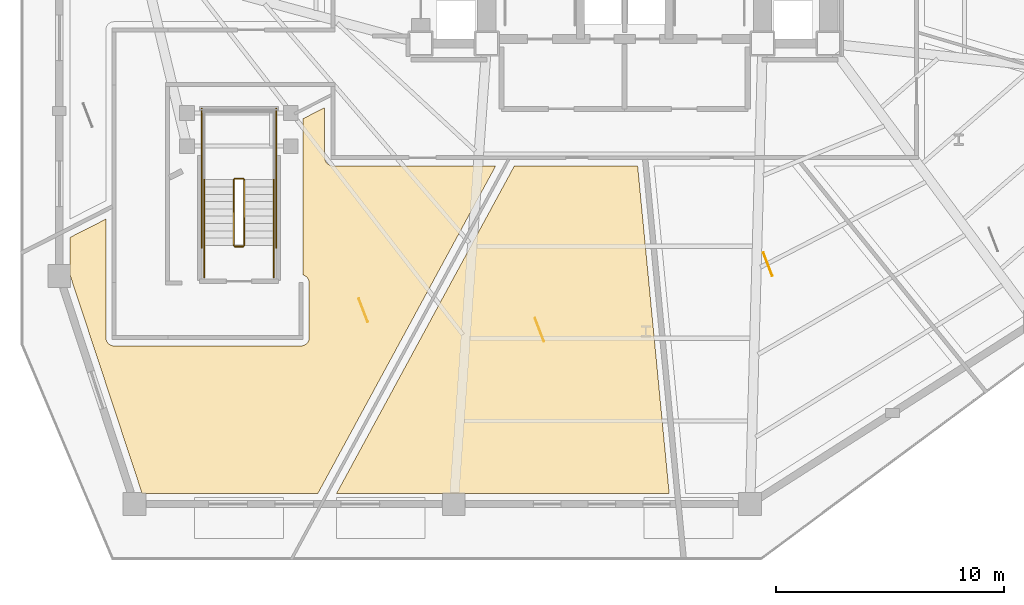
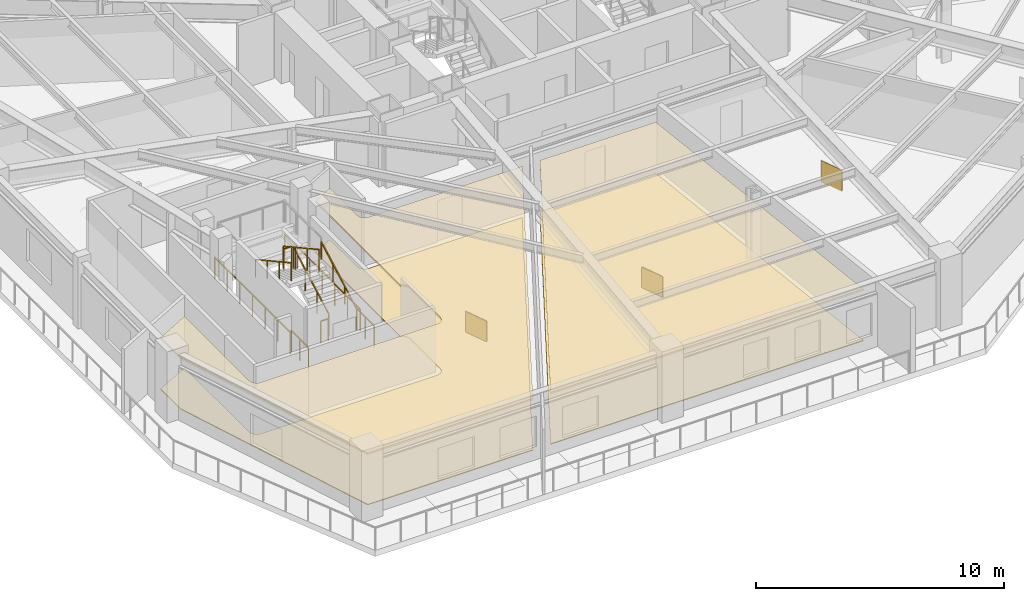
# One storey, part 7 of 10: 10 railings, 7 coverings.
"""IFC4 building model written with IfcOpenShell, lengths in metres."""

import ifcopenshell
import ifcopenshell.guid

model = None  # the IFC model being written
_history = None  # IfcOwnerHistory: only IFC2X3 demands one
_inside = {}  # id of a spatial element -> (the spatial element, [elements in it])
_under = {}  # id of a project, library or spatial element -> (it, [spatial elements below it])
_declared = {}  # id of a project -> (the project, [libraries it declares])
_typed = {}  # id of a type object -> (the type object, [elements of that type])
_made_of = {}  # id of a material, layer set ... -> (it, [elements and type objects made of it])


def new_model(schema):
    """Start an empty IFC model of exactly this schema.

    Asked for "IFC4X3", IfcOpenShell would pick the latest addendum, in which some entities
    have other attributes; the version numbers below select the first issue.
    IFC2X3 requires an IfcOwnerHistory on every rooted entity: one is made here for all.
    """
    global model, _history
    if schema == "IFC4X3":
        model = ifcopenshell.file(schema_version=(4, 3, 0, 0))
    else:
        model = ifcopenshell.file(schema=schema)
    _inside.clear()
    _under.clear()
    _declared.clear()
    _typed.clear()
    _made_of.clear()
    _history = None
    if model.schema == "IFC2X3":
        org = make("IfcOrganization", Name="unknown")
        user = make(
            "IfcPersonAndOrganization",
            ThePerson=make("IfcPerson", FamilyName="unknown"),
            TheOrganization=org,
        )
        app = make(
            "IfcApplication",
            ApplicationDeveloper=org,
            Version="unknown",
            ApplicationFullName="unknown",
            ApplicationIdentifier="unknown",
        )
        _history = make(
            "IfcOwnerHistory",
            OwningUser=user,
            OwningApplication=app,
            ChangeAction="ADDED",
            CreationDate=0,
        )
    return model


def make(cls, **values):
    """One entity of the class cls with the attributes given. An attribute that is None is left unset."""
    return model.create_entity(
        cls, **{name: value for name, value in values.items() if value is not None}
    )


def rooted(cls, **values):
    """An entity with a GlobalId (a new one), such as an element, a storey or a relation."""
    return make(cls, GlobalId=ifcopenshell.guid.new(), OwnerHistory=_history, **values)


def si_unit(unit_type, name, prefix=None):
    """IfcSIUnit, for example si_unit("LENGTHUNIT", "METRE", prefix="MILLI")."""
    return make("IfcSIUnit", UnitType=unit_type, Prefix=prefix, Name=name)


def assignment(units):
    """IfcUnitAssignment: the units of a project."""
    return None if units is None else make("IfcUnitAssignment", Units=units)


def point(xyz):
    """IfcCartesianPoint."""
    return None if xyz is None else make("IfcCartesianPoint", Coordinates=xyz)


def direction(xyz):
    """IfcDirection."""
    return None if xyz is None else make("IfcDirection", DirectionRatios=xyz)


def frame(location, z_axis=None, x_axis=None):
    """IfcAxis2Placement3D, a coordinate frame: its origin and axes. An axis left out is left unset."""
    return make(
        "IfcAxis2Placement3D",
        Location=point(location),
        Axis=direction(z_axis),
        RefDirection=direction(x_axis),
    )


def frame_2d(location, x_axis=None):
    """IfcAxis2Placement2D, a coordinate frame in the plane: its origin and x axis."""
    return make(
        "IfcAxis2Placement2D", Location=point(location), RefDirection=direction(x_axis)
    )


def origin():
    """The frame at (0, 0, 0) with its axes left unset."""
    return frame((0.0, 0.0, 0.0))


def origin_2d():
    """The frame at (0, 0) in the plane with its x axis left unset."""
    return frame_2d((0.0, 0.0))


def place(relative_to, where):
    """IfcLocalPlacement: puts the frame where relative to a parent placement (None: the world)."""
    return make(
        "IfcLocalPlacement", PlacementRelTo=relative_to, RelativePlacement=where
    )


def context(
    kind, dimensions, precision=None, world=None, true_north=None, identifier=None
):
    """IfcGeometricRepresentationContext, for example the 3D "Model" context."""
    return make(
        "IfcGeometricRepresentationContext",
        ContextIdentifier=identifier,
        ContextType=kind,
        CoordinateSpaceDimension=dimensions,
        Precision=precision,
        WorldCoordinateSystem=world,
        TrueNorth=true_north,
    )


def subcontext(parent, identifier, kind, view, scale=None):
    """IfcGeometricRepresentationSubContext, for example "Body" below "Model"."""
    return make(
        "IfcGeometricRepresentationSubContext",
        ContextIdentifier=identifier,
        ContextType=kind,
        ParentContext=parent,
        TargetScale=scale,
        TargetView=view,
    )


def project(units=None, contexts=None):
    """IfcProject with its units and contexts."""
    return rooted(
        "IfcProject",
        Name="project",
        RepresentationContexts=contexts,
        UnitsInContext=assignment(units),
    )


def spatial(cls, under=None, at=None, **own):
    """A site, building, storey or space (cls), placed at a placement, below another one or the project."""
    s = rooted(cls, ObjectPlacement=at, **own)
    if under is not None:
        _under.setdefault(under.id(), (under, []))[1].append(s)
    return s


def polyline(points):
    """IfcPolyline through the points."""
    return make("IfcPolyline", Points=[point(p) for p in points])


def profile(cls, at=None, kind="AREA", **sizes):
    """A parametric profile (cls). Its sizes go by their IFC names, for example OverallWidth=200.0."""
    return make(cls, ProfileType=kind, Position=at, **sizes)


def rectangle(**sizes):
    """IfcRectangleProfileDef."""
    return profile("IfcRectangleProfileDef", **sizes)


def outline(outer, holes=None, kind="AREA"):
    """IfcArbitraryClosedProfileDef: a profile drawn as a closed curve; with holes, ...WithVoids."""
    if holes is None:
        return make("IfcArbitraryClosedProfileDef", ProfileType=kind, OuterCurve=outer)
    return make(
        "IfcArbitraryProfileDefWithVoids",
        ProfileType=kind,
        OuterCurve=outer,
        InnerCurves=holes,
    )


def extrude(swept, where, along, depth):
    """IfcExtrudedAreaSolid: the profile swept, set in the frame where, extruded along a direction by depth."""
    return make(
        "IfcExtrudedAreaSolid",
        SweptArea=swept,
        Position=where,
        ExtrudedDirection=direction(along),
        Depth=depth,
    )


def shape(context_of_items, identifier, shape_type, items):
    """IfcShapeRepresentation: the items that make up one representation, for example the "Body"."""
    return make(
        "IfcShapeRepresentation",
        ContextOfItems=context_of_items,
        RepresentationIdentifier=identifier,
        RepresentationType=shape_type,
        Items=items,
    )


def material(Name=None, Category=None):
    """IfcMaterial."""
    return make("IfcMaterial", Name=Name, Category=Category)


def layer(
    of_material, thickness, ventilated=None, Name=None, Category=None, Priority=None
):
    """IfcMaterialLayer: one layer of a wall or slab, of a material (None: an air gap)."""
    return make(
        "IfcMaterialLayer",
        Material=of_material,
        LayerThickness=thickness,
        IsVentilated=ventilated,
        Name=Name,
        Category=Category,
        Priority=Priority,
    )


def layer_set(layers, Name=None):
    """IfcMaterialLayerSet."""
    return make("IfcMaterialLayerSet", MaterialLayers=layers, LayerSetName=Name)


def made_of(thing, what):
    """Note that an element or type object is made of a material, layer set ...; save() writes the relation."""
    if what is not None:
        _made_of.setdefault(what.id(), (what, []))[1].append(thing)
    return thing


def type_object(cls, material=None, **own):
    """A type object (cls), such as IfcWallType, which elements share."""
    return made_of(rooted(cls, **own), material)


def element(
    cls,
    number,
    at=None,
    inside=None,
    cuts=None,
    type_object=None,
    material=None,
    context=None,
    identifier="Body",
    shape_type=None,
    held_by="IfcProductDefinitionShape",
    body=None,
    shapes=None,
    **own,
):
    """One element of the class cls, such as IfcWall. Its Tag is "e" and its number.

    at: its placement. inside: the storey or other place that contains it. cuts: it is an
    opening in that element (IfcRelVoidsElement). A single representation is given by context,
    identifier, shape_type and body (its items); several are given by shapes. held_by: the class
    of the entity that holds the representations. save() writes the other relations.
    """
    e = rooted(cls, Tag="e%d" % number, ObjectPlacement=at, **own)
    if body is not None:
        shapes = [shape(context, identifier, shape_type, body)]
    if shapes is not None:
        e.Representation = make(held_by, Representations=shapes)
    if inside is not None:
        _inside.setdefault(inside.id(), (inside, []))[1].append(e)
    if cuts is not None:
        rooted(
            "IfcRelVoidsElement", RelatingBuildingElement=cuts, RelatedOpeningElement=e
        )
    if type_object is not None:
        _typed.setdefault(type_object.id(), (type_object, []))[1].append(e)
    return made_of(e, material)


def aggregate(whole, parts):
    """IfcRelAggregates: a whole, such as a stair, and the parts it consists of."""
    return rooted("IfcRelAggregates", RelatingObject=whole, RelatedObjects=parts)


def save(model, path):
    """Write the relations noted so far, then the file.

    IfcRelAggregates (storeys below a building ...), IfcRelContainedInSpatialStructure (elements
    in a storey), IfcRelDefinesByType, IfcRelAssociatesMaterial and IfcRelDeclares: one each for
    every whole, place, type object, material and project.
    """
    for whole, parts in _under.values():
        aggregate(whole, parts)
    for where, things in _inside.values():
        rooted(
            "IfcRelContainedInSpatialStructure",
            RelatedElements=things,
            RelatingStructure=where,
        )
    for kind, things in _typed.values():
        rooted("IfcRelDefinesByType", RelatedObjects=things, RelatingType=kind)
    for what, things in _made_of.values():
        rooted("IfcRelAssociatesMaterial", RelatedObjects=things, RelatingMaterial=what)
    for by, libraries in _declared.values():
        rooted("IfcRelDeclares", RelatingContext=by, RelatedDefinitions=libraries)
    model.write(path)


model = new_model("IFC4")

# Units and contexts
model_context = context("Model", 3, precision=1e-05, world=origin(), true_north=direction((0.0, 1.0)))
body_context = subcontext(model_context, "Body", "Model", "MODEL_VIEW")
ifc_project = project(units=[si_unit("LENGTHUNIT", "METRE"), si_unit("AREAUNIT", "SQUARE_METRE"), si_unit("VOLUMEUNIT", "CUBIC_METRE"), si_unit("PLANEANGLEUNIT", "RADIAN"), si_unit("MASSUNIT", "GRAM", prefix="KILO")], contexts=[model_context])

# Site, building, storey
site_placement = place(None, origin())
site = spatial("IfcSite", under=ifc_project, at=site_placement, CompositionType="ELEMENT")
building_placement = place(site_placement, origin())
building = spatial("IfcBuilding", under=site, at=building_placement, Name="Rocaltana Carrier Exchange", CompositionType="ELEMENT")
storey_placement = place(building_placement, frame((0.0, 0.0, 4.800048828125)))
storey = spatial("IfcBuildingStorey", under=building, at=storey_placement, Name="L02", CompositionType="ELEMENT", Elevation=4.800048828125)

# Coverings
ifc_material_1 = material(Name="Honed Bogota Sandstone Tile", Category="masonry")
ifc_layer_1 = layer(ifc_material_1, 0.0400390625)
ifc_layer_set_1 = layer_set([ifc_layer_1], Name="Honed Bogota Sandstone Tile")
covering_type_1 = type_object("IfcCoveringType", Name="Honed Stone Lobby Flooring 40", PredefinedType="FLOORING", material=ifc_layer_set_1)
covering_1_placement = place(storey_placement, origin())
element("IfcCovering", 1, at=covering_1_placement, inside=storey, type_object=covering_type_1, Name="L02 Carrier Peering Suite Finish Floor", PredefinedType="FLOORING", context=body_context, shape_type="SweptSolid", body=[
    extrude(outline(polyline([(-24.340087890625, -12.805908203125), (-22.760009765625, -12.000732421875), (-22.760009765625, -17.199951171875), (-22.759765625, -17.213623046875), (-22.75927734375, -17.2216796875), (-22.756591796875, -17.248779296875), (-22.75537109375, -17.256591796875), (-22.75, -17.28369140625), (-22.748291015625, -17.291259765625), (-22.740234375, -17.317626953125), (-22.737548828125, -17.324951171875), (-22.72705078125, -17.350341796875), (-22.7236328125, -17.357421875), (-22.710693359375, -17.381591796875), (-22.706787109375, -17.388427734375), (-22.69140625, -17.4111328125), (-22.686767578125, -17.41748046875), (-22.669189453125, -17.438720703125), (-22.6640625, -17.444580078125), (-22.64453125, -17.464111328125), (-22.638916015625, -17.46923828125), (-22.617431640625, -17.48681640625), (-22.611083984375, -17.491455078125), (-22.58837890625, -17.506591796875), (-22.581787109375, -17.5107421875), (-22.557373046875, -17.523681640625), (-22.55029296875, -17.527099609375), (-22.52490234375, -17.53759765625), (-22.517578125, -17.540283203125), (-22.4912109375, -17.548095703125), (-22.483642578125, -17.550048828125), (-22.456787109375, -17.555419921875), (-22.448974609375, -17.556640625), (-22.421630859375, -17.559326171875), (-22.413818359375, -17.559814453125), (-22.39990234375, -17.56005859375), (-14.199951171875, -17.56005859375), (-14.186279296875, -17.559814453125), (-14.178466796875, -17.559326171875), (-14.151123046875, -17.556640625), (-14.143310546875, -17.555419921875), (-14.116455078125, -17.550048828125), (-14.108642578125, -17.548095703125), (-14.08251953125, -17.540283203125), (-14.0751953125, -17.53759765625), (-14.0498046875, -17.527099609375), (-14.04248046875, -17.523681640625), (-14.018310546875, -17.5107421875), (-14.01171875, -17.506591796875), (-13.98876953125, -17.491455078125), (-13.982421875, -17.48681640625), (-13.961181640625, -17.46923828125), (-13.955322265625, -17.464111328125), (-13.93603515625, -17.444580078125), (-13.9306640625, -17.438720703125), (-13.913330078125, -17.41748046875), (-13.90869140625, -17.4111328125), (-13.893310546875, -17.388427734375), (-13.889404296875, -17.381591796875), (-13.876220703125, -17.357421875), (-13.873046875, -17.350341796875), (-13.862548828125, -17.324951171875), (-13.85986328125, -17.317626953125), (-13.851806640625, -17.291259765625), (-13.849853515625, -17.28369140625), (-13.844482421875, -17.256591796875), (-13.843505859375, -17.248779296875), (-13.8408203125, -17.2216796875), (-13.84033203125, -17.213623046875), (-13.840087890625, -17.199951171875), (-13.840087890625, -14.800048828125), (-13.84033203125, -14.786376953125), (-13.8408203125, -14.7783203125), (-13.843505859375, -14.751220703125), (-13.844482421875, -14.743408203125), (-13.849853515625, -14.71630859375), (-13.851806640625, -14.708740234375), (-13.85986328125, -14.682373046875), (-13.862548828125, -14.675048828125), (-13.873046875, -14.649658203125), (-13.876220703125, -14.642578125), (-13.889404296875, -14.618408203125), (-13.893310546875, -14.611572265625), (-13.90869140625, -14.5888671875), (-13.913330078125, -14.58251953125), (-13.9306640625, -14.561279296875), (-13.93603515625, -14.555419921875), (-13.955322265625, -14.535888671875), (-13.961181640625, -14.53076171875), (-13.982421875, -14.51318359375), (-13.98876953125, -14.508544921875), (-14.01171875, -14.493408203125), (-14.018310546875, -14.4892578125), (-14.04248046875, -14.476318359375), (-14.0498046875, -14.472900390625), (-14.0751953125, -14.46240234375), (-14.08251953125, -14.459716796875), (-14.108642578125, -14.451904296875), (-14.110107421875, -14.451416015625), (-14.110107421875, -7.593505859375), (-13.159912109375, -7.109375), (-13.159912109375, -9.300048828125), (-13.15966796875, -9.313720703125), (-13.1591796875, -9.321533203125), (-13.156494140625, -9.348876953125), (-13.155517578125, -9.356689453125), (-13.150146484375, -9.383544921875), (-13.148193359375, -9.391357421875), (-13.14013671875, -9.41748046875), (-13.137451171875, -9.4248046875), (-13.126953125, -9.4501953125), (-13.123779296875, -9.45751953125), (-13.110595703125, -9.481689453125), (-13.106689453125, -9.48828125), (-13.09130859375, -9.51123046875), (-13.086669921875, -9.517578125), (-13.0693359375, -9.538818359375), (-13.06396484375, -9.544677734375), (-13.044677734375, -9.56396484375), (-13.038818359375, -9.5693359375), (-13.017578125, -9.586669921875), (-13.01123046875, -9.59130859375), (-12.98828125, -9.606689453125), (-12.981689453125, -9.610595703125), (-12.95751953125, -9.623779296875), (-12.9501953125, -9.626953125), (-12.9248046875, -9.637451171875), (-12.91748046875, -9.64013671875), (-12.891357421875, -9.648193359375), (-12.883544921875, -9.650146484375), (-12.856689453125, -9.655517578125), (-12.848876953125, -9.656494140625), (-12.821533203125, -9.6591796875), (-12.813720703125, -9.65966796875), (-12.800048828125, -9.659912109375), (-5.654541015625, -9.659912109375), (-13.46240234375, -24.0400390625), (-21.16748046875, -24.0400390625), (-24.340087890625, -14.426025390625), (-24.340087890625, -12.805908203125)])), origin(), (0.0, 0.0, 1.0), 0.0400390625),
])
covering_2_placement = place(storey_placement, origin())
element("IfcCovering", 2, at=covering_2_placement, inside=storey, type_object=covering_type_1, Name="L02 Cloud Architecture Office Finish Floor", PredefinedType="FLOORING", context=body_context, shape_type="SweptSolid", body=[
    extrude(outline(polyline([(-12.64306640625, -24.0400390625), (-4.835205078125, -9.659912109375), (0.568603515625, -9.659912109375), (1.953125, -24.0400390625), (-12.64306640625, -24.0400390625)])), origin(), (0.0, 0.0, 1.0), 0.0400390625),
])
ifc_material_2 = material(Name="Anodised Aluminium 6063-T6", Category="aluminium")
ifc_layer_2 = layer(ifc_material_2, 0.0849609375)
ifc_layer_set_2 = layer_set([ifc_layer_2], Name="Anodised Aluminium 6063-T6")
covering_type_2 = type_object("IfcCoveringType", Name="Linear Baffle Acoustic Ceiling 85", PredefinedType="CEILING", material=ifc_layer_set_2)
covering_3_placement = place(storey_placement, frame((0.0, 0.0, 2.48291015625)))
element("IfcCovering", 3, at=covering_3_placement, inside=storey, type_object=covering_type_2, Name="L02 Carrier Peering Suite Acoustic Ceiling", PredefinedType="CEILING", context=body_context, shape_type="SweptSolid", body=[
    extrude(outline(polyline([(-24.340087890625, -12.805908203125), (-22.760009765625, -12.000732421875), (-22.760009765625, -17.199951171875), (-22.759765625, -17.213623046875), (-22.75927734375, -17.2216796875), (-22.756591796875, -17.248779296875), (-22.75537109375, -17.256591796875), (-22.75, -17.28369140625), (-22.748291015625, -17.291259765625), (-22.740234375, -17.317626953125), (-22.737548828125, -17.324951171875), (-22.72705078125, -17.350341796875), (-22.7236328125, -17.357421875), (-22.710693359375, -17.381591796875), (-22.706787109375, -17.388427734375), (-22.69140625, -17.4111328125), (-22.686767578125, -17.41748046875), (-22.669189453125, -17.438720703125), (-22.6640625, -17.444580078125), (-22.64453125, -17.464111328125), (-22.638916015625, -17.46923828125), (-22.617431640625, -17.48681640625), (-22.611083984375, -17.491455078125), (-22.58837890625, -17.506591796875), (-22.581787109375, -17.5107421875), (-22.557373046875, -17.523681640625), (-22.55029296875, -17.527099609375), (-22.52490234375, -17.53759765625), (-22.517578125, -17.540283203125), (-22.4912109375, -17.548095703125), (-22.483642578125, -17.550048828125), (-22.456787109375, -17.555419921875), (-22.448974609375, -17.556640625), (-22.421630859375, -17.559326171875), (-22.413818359375, -17.559814453125), (-22.39990234375, -17.56005859375), (-14.199951171875, -17.56005859375), (-14.186279296875, -17.559814453125), (-14.178466796875, -17.559326171875), (-14.151123046875, -17.556640625), (-14.143310546875, -17.555419921875), (-14.116455078125, -17.550048828125), (-14.108642578125, -17.548095703125), (-14.08251953125, -17.540283203125), (-14.0751953125, -17.53759765625), (-14.0498046875, -17.527099609375), (-14.04248046875, -17.523681640625), (-14.018310546875, -17.5107421875), (-14.01171875, -17.506591796875), (-13.98876953125, -17.491455078125), (-13.982421875, -17.48681640625), (-13.961181640625, -17.46923828125), (-13.955322265625, -17.464111328125), (-13.93603515625, -17.444580078125), (-13.9306640625, -17.438720703125), (-13.913330078125, -17.41748046875), (-13.90869140625, -17.4111328125), (-13.893310546875, -17.388427734375), (-13.889404296875, -17.381591796875), (-13.876220703125, -17.357421875), (-13.873046875, -17.350341796875), (-13.862548828125, -17.324951171875), (-13.85986328125, -17.317626953125), (-13.851806640625, -17.291259765625), (-13.849853515625, -17.28369140625), (-13.844482421875, -17.256591796875), (-13.843505859375, -17.248779296875), (-13.8408203125, -17.2216796875), (-13.84033203125, -17.213623046875), (-13.840087890625, -17.199951171875), (-13.840087890625, -14.800048828125), (-13.84033203125, -14.786376953125), (-13.8408203125, -14.7783203125), (-13.843505859375, -14.751220703125), (-13.844482421875, -14.743408203125), (-13.849853515625, -14.71630859375), (-13.851806640625, -14.708740234375), (-13.85986328125, -14.682373046875), (-13.862548828125, -14.675048828125), (-13.873046875, -14.649658203125), (-13.876220703125, -14.642578125), (-13.889404296875, -14.618408203125), (-13.893310546875, -14.611572265625), (-13.90869140625, -14.5888671875), (-13.913330078125, -14.58251953125), (-13.9306640625, -14.561279296875), (-13.93603515625, -14.555419921875), (-13.955322265625, -14.535888671875), (-13.961181640625, -14.53076171875), (-13.982421875, -14.51318359375), (-13.98876953125, -14.508544921875), (-14.01171875, -14.493408203125), (-14.018310546875, -14.4892578125), (-14.04248046875, -14.476318359375), (-14.0498046875, -14.472900390625), (-14.0751953125, -14.46240234375), (-14.08251953125, -14.459716796875), (-14.108642578125, -14.451904296875), (-14.110107421875, -14.451416015625), (-14.110107421875, -7.593505859375), (-13.159912109375, -7.109375), (-13.159912109375, -9.300048828125), (-13.15966796875, -9.313720703125), (-13.1591796875, -9.321533203125), (-13.156494140625, -9.348876953125), (-13.155517578125, -9.356689453125), (-13.150146484375, -9.383544921875), (-13.148193359375, -9.391357421875), (-13.14013671875, -9.41748046875), (-13.137451171875, -9.4248046875), (-13.126953125, -9.4501953125), (-13.123779296875, -9.45751953125), (-13.110595703125, -9.481689453125), (-13.106689453125, -9.48828125), (-13.09130859375, -9.51123046875), (-13.086669921875, -9.517578125), (-13.0693359375, -9.538818359375), (-13.06396484375, -9.544677734375), (-13.044677734375, -9.56396484375), (-13.038818359375, -9.5693359375), (-13.017578125, -9.586669921875), (-13.01123046875, -9.59130859375), (-12.98828125, -9.606689453125), (-12.981689453125, -9.610595703125), (-12.95751953125, -9.623779296875), (-12.9501953125, -9.626953125), (-12.9248046875, -9.637451171875), (-12.91748046875, -9.64013671875), (-12.891357421875, -9.648193359375), (-12.883544921875, -9.650146484375), (-12.856689453125, -9.655517578125), (-12.848876953125, -9.656494140625), (-12.821533203125, -9.6591796875), (-12.813720703125, -9.65966796875), (-12.800048828125, -9.659912109375), (-5.654541015625, -9.659912109375), (-13.46240234375, -24.0400390625), (-21.16748046875, -24.0400390625), (-24.340087890625, -14.426025390625), (-24.340087890625, -12.805908203125)])), origin(), (0.0, 0.0, 1.0), 0.0849609375),
])
covering_4_placement = place(storey_placement, frame((0.0, 0.0, 2.48291015625)))
element("IfcCovering", 4, at=covering_4_placement, inside=storey, type_object=covering_type_2, Name="L02 Cloud Architecture Office Acoustic Ceiling", PredefinedType="CEILING", context=body_context, shape_type="SweptSolid", body=[
    extrude(outline(polyline([(-12.64306640625, -24.0400390625), (-4.835205078125, -9.659912109375), (0.568603515625, -9.659912109375), (1.953125, -24.0400390625), (-12.64306640625, -24.0400390625)])), origin(), (0.0, 0.0, 1.0), 0.0849609375),
])

# Railings
ifc_material_3 = material(Name="Brushed Architectural Stainless Tube", Category="steel")
ifc_layer_3 = layer(ifc_material_3, 0.048095703125)
ifc_layer_set_3 = layer_set([ifc_layer_3], Name="Brushed Architectural Stainless Tube")
railing_type_1 = type_object("IfcRailingType", Name="Stair Wall Handrail 920", PredefinedType="HANDRAIL", material=ifc_layer_set_3)
railing_1_placement = place(storey_placement, frame((-15.389892578125, -13.14990234375, 0.176025390625)))
element("IfcRailing", 5, at=railing_1_placement, inside=storey, type_object=railing_type_1, Name="L02 ST-3 stair handrail 1", PredefinedType="HANDRAIL", context=body_context, shape_type="SweptSolid", body=[
    extrude(rectangle(XDim=0.048095703125, YDim=0.048095703125, at=origin_2d()), frame((0.0, 0.0, 0.8759765625), z_axis=(0.0, 0.876209635416, 0.481930155525), x_axis=(-1.0, 0.0, 0.0)), (0.0, 0.0, 1.0), 3.286865234375),
    extrude(rectangle(XDim=0.0419921875, YDim=0.0419921875, at=origin_2d()), origin(), (0.0, 0.0, 1.0), 0.851806640625),
    extrude(rectangle(XDim=0.0419921875, YDim=0.0419921875, at=origin_2d()), frame((0.0, 0.9599609375, 0.528076171875)), (0.0, 0.0, 1.0), 0.851806640625),
    extrude(rectangle(XDim=0.0419921875, YDim=0.0419921875, at=origin_2d()), frame((0.0, 1.919921875, 1.055908203125)), (0.0, 0.0, 1.0), 0.851806640625),
    extrude(rectangle(XDim=0.0419921875, YDim=0.0419921875, at=origin_2d()), frame((0.0, 2.8798828125, 1.583984375)), (0.0, 0.0, 1.0), 0.851806640625),
])
railing_2_placement = place(storey_placement, frame((-18.449951171875, -10.27001953125, 1.93603515625)))
element("IfcRailing", 6, at=railing_2_placement, inside=storey, type_object=railing_type_1, Name="L02 ST-3 stair handrail 2", PredefinedType="HANDRAIL", context=body_context, shape_type="SweptSolid", body=[
    extrude(rectangle(XDim=0.048095703125, YDim=0.048095703125, at=origin_2d()), frame((0.0, 0.0, 0.8759765625), z_axis=(0.0, -0.876209635416, 0.481930155525), x_axis=(1.0, 0.0, 0.0)), (0.0, 0.0, 1.0), 3.286865234375),
    extrude(rectangle(XDim=0.0419921875, YDim=0.0419921875, at=origin_2d()), origin(), (0.0, 0.0, 1.0), 0.851806640625),
    extrude(rectangle(XDim=0.0419921875, YDim=0.0419921875, at=origin_2d()), frame((0.0, -0.9599609375, 0.528076171875)), (0.0, 0.0, 1.0), 0.851806640625),
    extrude(rectangle(XDim=0.0419921875, YDim=0.0419921875, at=origin_2d()), frame((0.0, -1.919921875, 1.055908203125)), (0.0, 0.0, 1.0), 0.851806640625),
    extrude(rectangle(XDim=0.0419921875, YDim=0.0419921875, at=origin_2d()), frame((0.0, -2.8798828125, 1.583984375)), (0.0, 0.0, 1.0), 0.851806640625),
])
ifc_material_4 = material(Name="Powder-Coated Aluminium 6063-T6", Category="aluminium")
ifc_layer_4 = layer(ifc_material_4, 0.048095703125)
ifc_layer_set_4 = layer_set([ifc_layer_4], Name="Powder-Coated Aluminium 6063-T6")
railing_type_2 = type_object("IfcRailingType", Name="Stair Well Guardrail 1100", PredefinedType="GUARDRAIL", material=ifc_layer_set_4)
railing_3_placement = place(storey_placement, frame((-16.68994140625, -13.14990234375, 0.176025390625)))
element("IfcRailing", 7, at=railing_3_placement, inside=storey, type_object=railing_type_2, Name="L02 ST-3 stair guard 1", PredefinedType="GUARDRAIL", context=body_context, shape_type="SweptSolid", body=[
    extrude(rectangle(XDim=0.048095703125, YDim=0.048095703125, at=origin_2d()), frame((0.0, 0.0, 1.076171875), z_axis=(0.0, 0.876209635416, 0.481930155525), x_axis=(-1.0, 0.0, 0.0)), (0.0, 0.0, 1.0), 3.286865234375),
    extrude(rectangle(XDim=0.0419921875, YDim=0.0419921875, at=origin_2d()), origin(), (0.0, 0.0, 1.0), 1.052001953125),
    extrude(rectangle(XDim=0.0419921875, YDim=0.0419921875, at=origin_2d()), frame((0.0, 0.9599609375, 0.528076171875)), (0.0, 0.0, 1.0), 1.052001953125),
    extrude(rectangle(XDim=0.0419921875, YDim=0.0419921875, at=origin_2d()), frame((0.0, 1.919921875, 1.055908203125)), (0.0, 0.0, 1.0), 1.052001953125),
    extrude(rectangle(XDim=0.0419921875, YDim=0.0419921875, at=origin_2d()), frame((0.0, 2.8798828125, 1.583984375)), (0.0, 0.0, 1.0), 1.052001953125),
])
railing_4_placement = place(storey_placement, frame((-16.739990234375, -10.219970703125, 1.760009765625)))
element("IfcRailing", 8, at=railing_4_placement, inside=storey, type_object=railing_type_2, Name="L02 ST-3 stair guard 2", PredefinedType="GUARDRAIL", context=body_context, shape_type="SweptSolid", body=[
    extrude(rectangle(XDim=0.048095703125, YDim=0.048095703125, at=origin_2d()), frame((0.0, 0.0, 1.076171875), z_axis=(-1.0, 0.0, 0.0), x_axis=(0.0, -1.0, 0.0)), (0.0, 0.0, 1.0), 0.360107421875),
    extrude(rectangle(XDim=0.0419921875, YDim=0.0419921875, at=origin_2d()), origin(), (0.0, 0.0, 1.0), 1.052001953125),
    extrude(rectangle(XDim=0.0419921875, YDim=0.0419921875, at=origin_2d()), frame((-0.360107421875, 0.0, 0.0)), (0.0, 0.0, 1.0), 1.052001953125),
])
railing_5_placement = place(storey_placement, frame((-17.14990234375, -10.27001953125, 1.93603515625)))
element("IfcRailing", 9, at=railing_5_placement, inside=storey, type_object=railing_type_2, Name="L02 ST-3 stair guard 6", PredefinedType="GUARDRAIL", context=body_context, shape_type="SweptSolid", body=[
    extrude(rectangle(XDim=0.048095703125, YDim=0.048095703125, at=origin_2d()), frame((0.0, 0.0, 1.076171875), z_axis=(0.0, -0.876209635416, 0.481930155525), x_axis=(1.0, 0.0, 0.0)), (0.0, 0.0, 1.0), 3.286865234375),
    extrude(rectangle(XDim=0.0419921875, YDim=0.0419921875, at=origin_2d()), origin(), (0.0, 0.0, 1.0), 1.052001953125),
    extrude(rectangle(XDim=0.0419921875, YDim=0.0419921875, at=origin_2d()), frame((0.0, -0.9599609375, 0.528076171875)), (0.0, 0.0, 1.0), 1.052001953125),
    extrude(rectangle(XDim=0.0419921875, YDim=0.0419921875, at=origin_2d()), frame((0.0, -1.919921875, 1.055908203125)), (0.0, 0.0, 1.0), 1.052001953125),
    extrude(rectangle(XDim=0.0419921875, YDim=0.0419921875, at=origin_2d()), frame((0.0, -2.8798828125, 1.583984375)), (0.0, 0.0, 1.0), 1.052001953125),
])
railing_6_placement = place(storey_placement, frame((-16.739990234375, -13.199951171875, 0.0)))
element("IfcRailing", 10, at=railing_6_placement, inside=storey, type_object=railing_type_2, Name="L02 ST-3 stair guard 7", PredefinedType="GUARDRAIL", context=body_context, shape_type="SweptSolid", body=[
    extrude(rectangle(XDim=0.048095703125, YDim=0.048095703125, at=origin_2d()), frame((0.0, 0.0, 1.076171875), z_axis=(-1.0, 0.0, 0.0), x_axis=(0.0, -1.0, 0.0)), (0.0, 0.0, 1.0), 0.360107421875),
    extrude(rectangle(XDim=0.0419921875, YDim=0.0419921875, at=origin_2d()), origin(), (0.0, 0.0, 1.0), 1.052001953125),
    extrude(rectangle(XDim=0.0419921875, YDim=0.0419921875, at=origin_2d()), frame((-0.360107421875, 0.0, 0.0)), (0.0, 0.0, 1.0), 1.052001953125),
])
for number, where, name in (
    (11, (-15.389892578125, -14.550048828125, 0.0), "L02 ST-3 stair guard 8"),
    (12, (-18.449951171875, -14.550048828125, 0.0), "L02 ST-3 stair guard 9"),
):
    element("IfcRailing", number, at=place(storey_placement, frame(where)), inside=storey, type_object=railing_type_2, Name=name, PredefinedType="GUARDRAIL", context=body_context, shape_type="SweptSolid", body=[
        extrude(rectangle(XDim=0.048095703125, YDim=0.048095703125, at=origin_2d()), frame((0.0, 0.0, 1.076171875), z_axis=(0.0, 1.0, 0.0), x_axis=(-1.0, 0.0, 0.0)), (0.0, 0.0, 1.0), 1.400146484375),
        extrude(rectangle(XDim=0.0419921875, YDim=0.0419921875, at=origin_2d()), origin(), (0.0, 0.0, 1.0), 1.052001953125),
        extrude(rectangle(XDim=0.0419921875, YDim=0.0419921875, at=origin_2d()), frame((0.0, 0.7001953125, 0.0)), (0.0, 0.0, 1.0), 1.052001953125),
        extrude(rectangle(XDim=0.0419921875, YDim=0.0419921875, at=origin_2d()), frame((0.0, 1.400146484375, 0.0)), (0.0, 0.0, 1.0), 1.052001953125),
    ])
for number, where, name in (
    (13, (-15.2900390625, -13.25, 0.0), "L02 ST-3 stair guard 10"),
    (14, (-18.550048828125, -13.25, 0.0), "L02 ST-3 stair guard 11"),
):
    element("IfcRailing", number, at=place(storey_placement, frame(where)), inside=storey, type_object=railing_type_2, Name=name, PredefinedType="GUARDRAIL", context=body_context, shape_type="SweptSolid", body=[
        extrude(rectangle(XDim=0.048095703125, YDim=0.048095703125, at=origin_2d()), frame((0.0, 0.0, 1.076171875), z_axis=(0.0, 1.0, 0.0), x_axis=(-1.0, 0.0, 0.0)), (0.0, 0.0, 1.0), 6.10009765625),
        extrude(rectangle(XDim=0.0419921875, YDim=0.0419921875, at=origin_2d()), origin(), (0.0, 0.0, 1.0), 1.052001953125),
        extrude(rectangle(XDim=0.0419921875, YDim=0.0419921875, at=origin_2d()), frame((0.0, 1.0166015625, 0.0)), (0.0, 0.0, 1.0), 1.052001953125),
        extrude(rectangle(XDim=0.0419921875, YDim=0.0419921875, at=origin_2d()), frame((0.0, 2.033447265625, 0.0)), (0.0, 0.0, 1.0), 1.052001953125),
        extrude(rectangle(XDim=0.0419921875, YDim=0.0419921875, at=origin_2d()), frame((0.0, 3.050048828125, 0.0)), (0.0, 0.0, 1.0), 1.052001953125),
        extrude(rectangle(XDim=0.0419921875, YDim=0.0419921875, at=origin_2d()), frame((0.0, 4.066650390625, 0.0)), (0.0, 0.0, 1.0), 1.052001953125),
        extrude(rectangle(XDim=0.0419921875, YDim=0.0419921875, at=origin_2d()), frame((0.0, 5.08349609375, 0.0)), (0.0, 0.0, 1.0), 1.052001953125),
        extrude(rectangle(XDim=0.0419921875, YDim=0.0419921875, at=origin_2d()), frame((0.0, 6.10009765625, 0.0)), (0.0, 0.0, 1.0), 1.052001953125),
    ])

# Coverings
ifc_material_5 = material(Name="Honed Piedra Muneca Sandstone", Category="masonry")
ifc_layer_5 = layer(ifc_material_5, 0.034912109375)
ifc_layer_set_5 = layer_set([ifc_layer_5], Name="Honed Piedra Muneca Sandstone")
covering_type_3 = type_object("IfcCoveringType", Name="Stone Facade Cladding 35", PredefinedType="CLADDING", material=ifc_layer_set_5)
for number, where, z_axis, x_axis, name in (
    (15, (-11.468505859375, -16.0, 0.0), (0.0, 0.0, 1.0), (-0.358367949545, 0.933580426497, 0.0), "L02 Stone Facade Cladding Panel 2"),
    (16, (-3.7392578125, -16.85009765625, 0.0), (0.0, 0.0, 1.0), (-0.358367949545, 0.933580426497, 0.0), "L02 Stone Facade Cladding Panel 3"),
    (17, (6.280517578125, -13.975341796875, 0.0), (0.0, 0.0, 1.0), (-0.358367949545, 0.933580426497, 0.0), "L02 Stone Facade Cladding Panel 4"),
):
    element("IfcCovering", number, at=place(storey_placement, frame(where, z_axis=z_axis, x_axis=x_axis)), inside=storey, type_object=covering_type_3, Name=name, PredefinedType="CLADDING", context=body_context, shape_type="SweptSolid", body=[
        extrude(rectangle(XDim=1.10009765625, YDim=0.034912109375, at=origin_2d()), origin(), (0.0, 0.0, 1.0), 1.050048828125),
    ])

save(model, "model.ifc")
